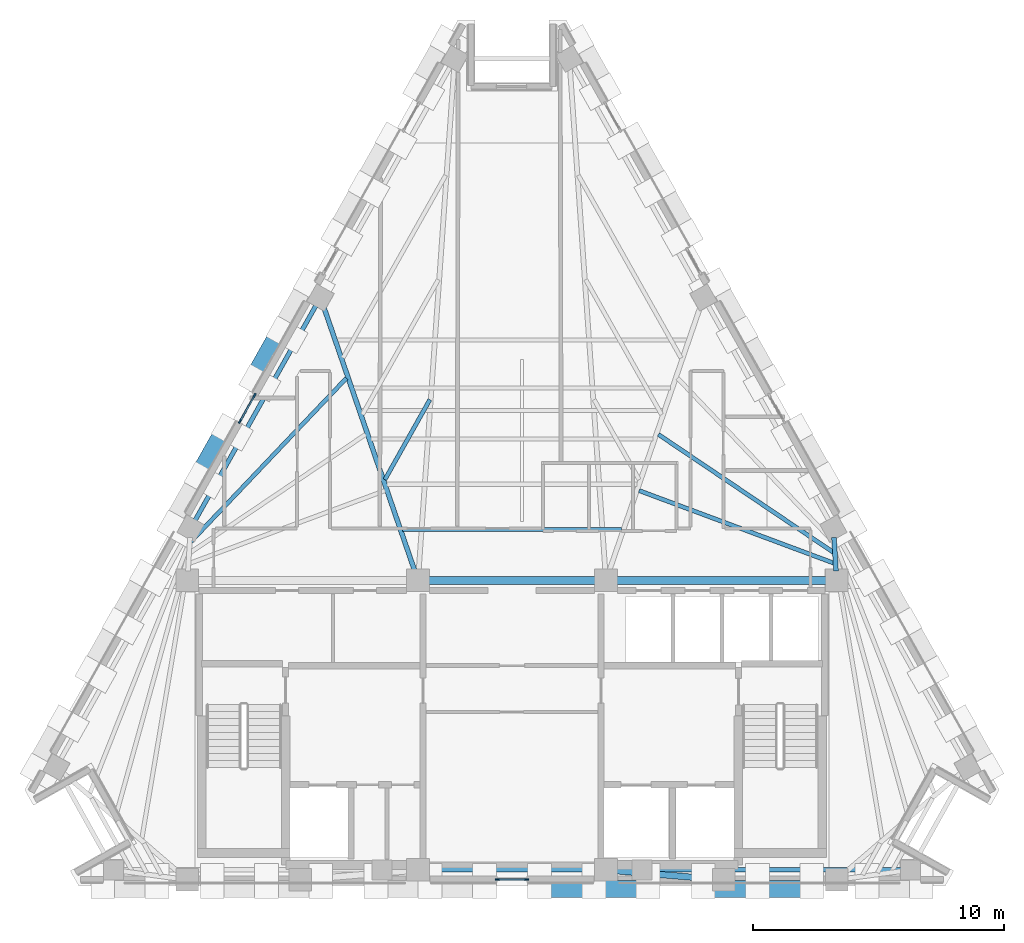
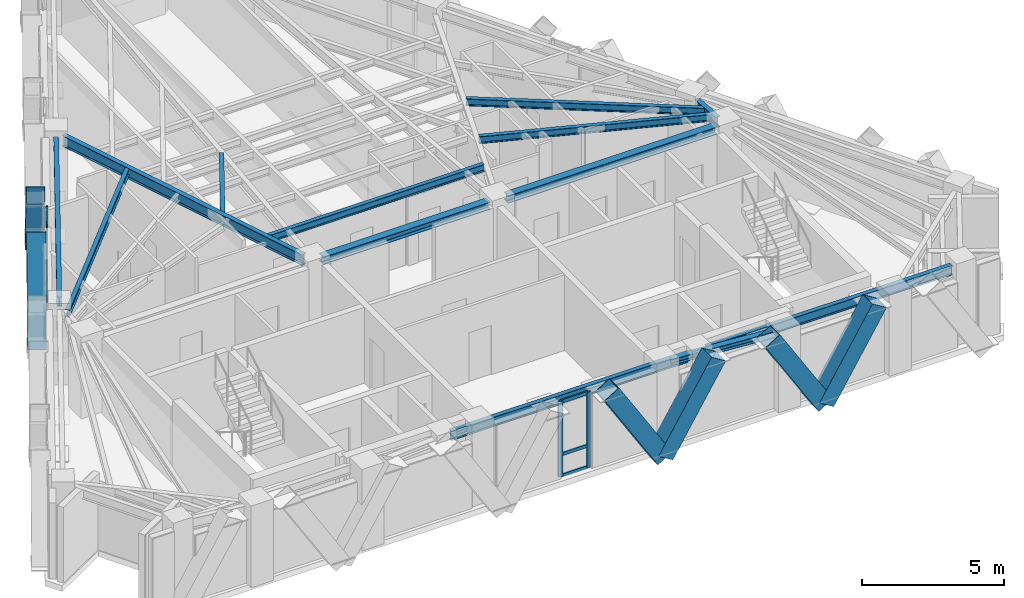
# One storey, part 2 of 9: 16 members, 13 beams, 2 elements without a shape of their own.
"""IFC4 building model written with IfcOpenShell, lengths in metres."""

from ifc_helpers import new_model, si_unit, direction, frame, origin, origin_2d, place, context, subcontext, project, spatial, rectangle, hollow_rectangle, i_section, extrude, material, material_profile, profile_set, type_object, element, aggregate, save


model = new_model("IFC4")

# Units and contexts
model_context = context("Model", 3, precision=1e-05, world=origin(), true_north=direction((0.0, 1.0)))
body_context = subcontext(model_context, "Body", "Model", "MODEL_VIEW")
ifc_project = project(units=[si_unit("LENGTHUNIT", "METRE"), si_unit("AREAUNIT", "SQUARE_METRE"), si_unit("VOLUMEUNIT", "CUBIC_METRE"), si_unit("PLANEANGLEUNIT", "RADIAN"), si_unit("MASSUNIT", "GRAM", prefix="KILO")], contexts=[model_context])

# Site, building, storey
site_placement = place(None, origin())
site = spatial("IfcSite", under=ifc_project, at=site_placement, CompositionType="ELEMENT")
building_placement = place(site_placement, origin())
building = spatial("IfcBuilding", under=site, at=building_placement, Name="Quenlor Broadcast Tower", CompositionType="ELEMENT")
storey_placement = place(building_placement, frame((0.0, 0.0, 260.39990234375)))
storey = spatial("IfcBuildingStorey", under=building, at=storey_placement, Name="L72", CompositionType="ELEMENT", Elevation=260.39990234375)

# Curtain wall, members
ifc_material_1 = material(Name="Architectural Terracotta and Low-E Glazing", Category="masonry")
curtain_wall_type = type_object("IfcCurtainWallType", Name="Unitised Terracotta Curtain Wall System Z5", PredefinedType="NOTDEFINED", material=ifc_material_1)
curtain_wall_1_placement = place(storey_placement, origin())
curtain_wall_1 = element("IfcCurtainWall", 1, at=curtain_wall_1_placement, inside=storey, type_object=curtain_wall_type, Name="L72 Curtain Wall CW5 (L72-S-G1)", PredefinedType="NOTDEFINED")
ifc_material_2 = material(Name="Aluminium 6063-T6", Category="aluminium")
ifc_material_profile_1 = material_profile(ifc_material_2, rectangle(XDim=0.06494140625, YDim=0.169921875, at=origin_2d()))
ifc_profile_set_1 = profile_set([ifc_material_profile_1], Name="Aluminium 6063-T6 MULL65x170")
member_type_1 = type_object("IfcMemberType", Name="CW5 Aluminium Mullion MULL_CW5", PredefinedType="MULLION", material=ifc_profile_set_1)
member_1_placement = place(storey_placement, frame((0.573974609375, -16.72509765625, 0.0), z_axis=(0.0, 0.0, 1.0), x_axis=(0.0, -1.0, 0.0)))
member_1 = element("IfcMember", 2, at=member_1_placement, type_object=member_type_1, Name="CW5 mullion 1", PredefinedType="MULLION", context=body_context, shape_type="SweptSolid", body=[
    extrude(rectangle(XDim=0.06494140625, YDim=0.169921875, at=origin_2d()), origin(), (0.0, 0.0, 1.0), 3.25),
])
member_2_placement = place(storey_placement, frame((-0.573974609375, -16.72509765625, 0.0), z_axis=(0.0, 0.0, 1.0), x_axis=(0.0, -1.0, 0.0)))
member_2 = element("IfcMember", 3, at=member_2_placement, type_object=member_type_1, Name="CW5 mullion 2", PredefinedType="MULLION", context=body_context, shape_type="SweptSolid", body=[
    extrude(rectangle(XDim=0.06494140625, YDim=0.169921875, at=origin_2d()), origin(), (0.0, 0.0, 1.0), 3.25),
])

curtain_wall_2_placement = place(storey_placement, origin())
curtain_wall_2 = element("IfcCurtainWall", 4, at=curtain_wall_2_placement, inside=storey, type_object=curtain_wall_type, Name="L72 Curtain Wall CW5 (L72-NW-G1)", PredefinedType="NOTDEFINED")
member_3_placement = place(storey_placement, frame((-10.853271484375, 1.54443359375, 0.0), z_axis=(0.0, 0.0, 1.0), x_axis=(-0.871592489955, 0.490231100048, 0.0)))
member_3 = element("IfcMember", 5, at=member_3_placement, type_object=member_type_1, Name="CW5 mullion 1", PredefinedType="MULLION", context=body_context, shape_type="SweptSolid", body=[
    extrude(rectangle(XDim=0.06494140625, YDim=0.169921875, at=origin_2d()), origin(), (0.0, 0.0, 1.0), 3.25),
])
member_4_placement = place(storey_placement, frame((-10.267333984375, 2.586181640625, 0.0), z_axis=(0.0, 0.0, 1.0), x_axis=(-0.871592489955, 0.490231100048, 0.0)))
member_4 = element("IfcMember", 6, at=member_4_placement, type_object=member_type_1, Name="CW5 mullion 2", PredefinedType="MULLION", context=body_context, shape_type="SweptSolid", body=[
    extrude(rectangle(XDim=0.06494140625, YDim=0.169921875, at=origin_2d()), origin(), (0.0, 0.0, 1.0), 3.25),
])

# Member
ifc_material_3 = material(Name="Aluminium 6063-T6", Category="aluminium")
ifc_material_profile_2 = material_profile(ifc_material_3, rectangle(XDim=0.06494140625, YDim=0.139892578125, at=origin_2d()))
ifc_profile_set_2 = profile_set([ifc_material_profile_2], Name="Aluminium 6063-T6 TRAN65x140")
member_type_2 = type_object("IfcMemberType", Name="CW5 Aluminium Transom TRAN_CW5", PredefinedType="USERDEFINED", material=ifc_profile_set_2)
member_5_placement = place(storey_placement, frame((0.54150390625, -16.72509765625, 0.03271484375), z_axis=(-1.0, 0.0, 0.0), x_axis=(0.0, -1.0, 0.0)))
member_5 = element("IfcMember", 7, at=member_5_placement, type_object=member_type_2, Name="CW5 transom 1.1", ObjectType="TRANSOM", PredefinedType="USERDEFINED", context=body_context, shape_type="SweptSolid", body=[
    extrude(rectangle(XDim=0.06494140625, YDim=0.139892578125, at=origin_2d()), origin(), (0.0, 0.0, 1.0), 1.0830078125),
])

member_6_placement = place(storey_placement, frame((0.54150390625, -16.72509765625, 0.9501953125), z_axis=(-1.0, 0.0, 0.0), x_axis=(0.0, -1.0, 0.0)))
member_6 = element("IfcMember", 8, at=member_6_placement, type_object=member_type_2, Name="CW5 transom 1.2", ObjectType="TRANSOM", PredefinedType="USERDEFINED", context=body_context, shape_type="SweptSolid", body=[
    extrude(rectangle(XDim=0.06494140625, YDim=0.139892578125, at=origin_2d()), origin(), (0.0, 0.0, 1.0), 1.0830078125),
])

member_7_placement = place(storey_placement, frame((0.54150390625, -16.72509765625, 3.217529296875), z_axis=(-1.0, 0.0, 0.0), x_axis=(0.0, -1.0, 0.0)))
member_7 = element("IfcMember", 9, at=member_7_placement, type_object=member_type_2, Name="CW5 transom 1.3", ObjectType="TRANSOM", PredefinedType="USERDEFINED", context=body_context, shape_type="SweptSolid", body=[
    extrude(rectangle(XDim=0.06494140625, YDim=0.139892578125, at=origin_2d()), origin(), (0.0, 0.0, 1.0), 1.0830078125),
])

aggregate(curtain_wall_1, [member_1, member_2, member_5, member_6, member_7])

member_8_placement = place(storey_placement, frame((-10.83740234375, 1.57275390625, 0.03271484375), z_axis=(0.490312513966, 0.871546693327, 0.0), x_axis=(-0.871546693327, 0.490312513966, 0.0)))
member_8 = element("IfcMember", 10, at=member_8_placement, type_object=member_type_2, Name="CW5 transom 1.1", ObjectType="TRANSOM", PredefinedType="USERDEFINED", context=body_context, shape_type="SweptSolid", body=[
    extrude(rectangle(XDim=0.06494140625, YDim=0.139892578125, at=origin_2d()), origin(), (0.0, 0.0, 1.0), 1.13037109375),
])

member_9_placement = place(storey_placement, frame((-10.83740234375, 1.57275390625, 0.9501953125), z_axis=(0.490312513966, 0.871546693327, 0.0), x_axis=(-0.871546693327, 0.490312513966, 0.0)))
member_9 = element("IfcMember", 11, at=member_9_placement, type_object=member_type_2, Name="CW5 transom 1.2", ObjectType="TRANSOM", PredefinedType="USERDEFINED", context=body_context, shape_type="SweptSolid", body=[
    extrude(rectangle(XDim=0.06494140625, YDim=0.139892578125, at=origin_2d()), origin(), (0.0, 0.0, 1.0), 1.13037109375),
])

member_10_placement = place(storey_placement, frame((-10.83740234375, 1.57275390625, 3.217529296875), z_axis=(0.490312513966, 0.871546693327, 0.0), x_axis=(-0.871546693327, 0.490312513966, 0.0)))
member_10 = element("IfcMember", 12, at=member_10_placement, type_object=member_type_2, Name="CW5 transom 1.3", ObjectType="TRANSOM", PredefinedType="USERDEFINED", context=body_context, shape_type="SweptSolid", body=[
    extrude(rectangle(XDim=0.06494140625, YDim=0.139892578125, at=origin_2d()), origin(), (0.0, 0.0, 1.0), 1.13037109375),
])

aggregate(curtain_wall_2, [member_3, member_4, member_8, member_9, member_10])

# Beams
ifc_material_4 = material(Name="Steel S355", Category="steel")
ifc_material_profile_3 = material_profile(ifc_material_4, i_section(OverallWidth=0.304931640625, OverallDepth=0.30810546875, WebThickness=0.010009765625, FlangeThickness=0.015380859375, FilletRadius=0.0166015625, at=origin_2d()))
ifc_profile_set_3 = profile_set([ifc_material_profile_3], Name="Steel S355 310UC96.8")
beam_type_1 = type_object("IfcBeamType", Name="Core Header Beam Steel S355 310UC96.8", PredefinedType="BEAM", material=ifc_profile_set_3)
beam_1_placement = place(storey_placement, frame((-3.389892578125, -4.800048828125, 3.09619140625), z_axis=(1.0, 0.0, 0.0), x_axis=(0.0, 1.0, 0.0)))
element("IfcBeam", 13, at=beam_1_placement, inside=storey, type_object=beam_type_1, Name="L72 Core Header Beam 2", PredefinedType="BEAM", context=body_context, shape_type="SweptSolid", body=[
    extrude(i_section(OverallWidth=0.304931640625, OverallDepth=0.30810546875, WebThickness=0.010009765625, FlangeThickness=0.015380859375, FilletRadius=0.0166015625, at=origin_2d()), origin(), (0.0, 0.0, 1.0), 6.77978515625),
])
ifc_material_5 = material(Name="Steel S355", Category="steel")
ifc_material_profile_4 = material_profile(ifc_material_5, i_section(OverallWidth=0.25390625, OverallDepth=0.25390625, WebThickness=0.008544921875, FlangeThickness=0.01416015625, FilletRadius=0.013916015625, at=origin_2d()))
ifc_profile_set_4 = profile_set([ifc_material_profile_4], Name="Steel S355 250UC72.9")
beam_type_2 = type_object("IfcBeamType", Name="Core Opening Lintel Beam Steel S355 250UC72.9", PredefinedType="LINTEL", material=ifc_profile_set_4)
beam_2_placement = place(storey_placement, frame((4.108642578125, -16.380615234375, 3.123291015625), z_axis=(0.996399763903, -0.084779186679, 0.0), x_axis=(0.084779186679, 0.996399763903, 0.0)))
element("IfcBeam", 14, at=beam_2_placement, inside=storey, type_object=beam_type_2, Name="L72 Core Opening Lintel Beam 5", PredefinedType="LINTEL", context=body_context, shape_type="SweptSolid", body=[
    extrude(i_section(OverallWidth=0.25390625, OverallDepth=0.25390625, WebThickness=0.008544921875, FlangeThickness=0.01416015625, FilletRadius=0.013916015625, at=origin_2d()), origin(), (0.0, 0.0, 1.0), 3.9970703125),
])
ifc_material_6 = material(Name="Steel S355", Category="steel")
ifc_material_profile_5 = material_profile(ifc_material_6, i_section(OverallWidth=0.306884765625, OverallDepth=0.314697265625, WebThickness=0.011962890625, FlangeThickness=0.018798828125, FilletRadius=0.0166015625, at=origin_2d()))
ifc_profile_set_5 = profile_set([ifc_material_profile_5], Name="Steel S355 310UC118")
beam_type_3 = type_object("IfcBeamType", Name="Core Tie Beam Steel S355 310UC118", PredefinedType="BEAM", material=ifc_profile_set_5)
beam_3_placement = place(storey_placement, frame((4.110107421875, -4.800048828125, 3.0927734375), z_axis=(1.0, 0.0, 0.0), x_axis=(0.0, 1.0, 0.0)))
element("IfcBeam", 15, at=beam_3_placement, inside=storey, type_object=beam_type_3, Name="L72 Core Tie Beam 3", PredefinedType="BEAM", context=body_context, shape_type="SweptSolid", body=[
    extrude(i_section(OverallWidth=0.306884765625, OverallDepth=0.314697265625, WebThickness=0.011962890625, FlangeThickness=0.018798828125, FilletRadius=0.0166015625, at=origin_2d()), origin(), (0.0, 0.0, 1.0), 8.47998046875),
])

# Members
ifc_material_7 = material(Name="Steel S355", Category="steel")
ifc_material_profile_6 = material_profile(ifc_material_7, hollow_rectangle(XDim=0.679931640625, YDim=0.679931640625, WallThickness=0.02001953125, at=origin_2d()))
ifc_profile_set_6 = profile_set([ifc_material_profile_6], Name="Steel S355 RHS680x680x20")
member_type_3 = type_object("IfcMemberType", Name="Perimeter Diagonal Lattice Brace Z5-Crown Steel S355 RHS680x20", PredefinedType="BRACE", material=ifc_profile_set_6)
member_11_placement = place(storey_placement, frame((9.81103515625, -17.1201171875, -0.119873046875), z_axis=(0.5236596973, 0.0, 0.851927532965), x_axis=(0.0, 1.0, 0.0)))
element("IfcMember", 16, at=member_11_placement, inside=storey, type_object=member_type_3, Name="L72 Perimeter Diamond Lattice S-C1B", PredefinedType="BRACE", context=body_context, shape_type="SweptSolid", body=[
    extrude(hollow_rectangle(XDim=0.679931640625, YDim=0.679931640625, WallThickness=0.02001953125, at=origin_2d()), origin(), (0.0, 0.0, 1.0), 4.1083984375),
])
member_12_placement = place(storey_placement, frame((9.784912109375, -17.1201171875, -0.119873046875), z_axis=(-0.523616565236, 0.0, 0.85195404372), x_axis=(0.0, -1.0, 0.0)))
element("IfcMember", 17, at=member_12_placement, inside=storey, type_object=member_type_3, Name="L72 Perimeter Diamond Lattice S-C2S", PredefinedType="BRACE", context=body_context, shape_type="SweptSolid", body=[
    extrude(hollow_rectangle(XDim=0.679931640625, YDim=0.679931640625, WallThickness=0.02001953125, at=origin_2d()), origin(), (0.0, 0.0, 1.0), 4.108154296875),
])
member_13_placement = place(storey_placement, frame((3.279052734375, -17.1201171875, -0.119873046875), z_axis=(0.5236596973, 0.0, 0.851927532965), x_axis=(0.0, 1.0, 0.0)))
element("IfcMember", 18, at=member_13_placement, inside=storey, type_object=member_type_3, Name="L72 Perimeter Diamond Lattice S-C2B", PredefinedType="BRACE", context=body_context, shape_type="SweptSolid", body=[
    extrude(hollow_rectangle(XDim=0.679931640625, YDim=0.679931640625, WallThickness=0.02001953125, at=origin_2d()), origin(), (0.0, 0.0, 1.0), 4.1083984375),
])
member_14_placement = place(storey_placement, frame((3.2529296875, -17.1201171875, -0.119873046875), z_axis=(-0.523616565236, 0.0, 0.85195404372), x_axis=(0.0, -1.0, 0.0)))
element("IfcMember", 19, at=member_14_placement, inside=storey, type_object=member_type_3, Name="L72 Perimeter Diamond Lattice S-C3S", PredefinedType="BRACE", context=body_context, shape_type="SweptSolid", body=[
    extrude(hollow_rectangle(XDim=0.679931640625, YDim=0.679931640625, WallThickness=0.02001953125, at=origin_2d()), origin(), (0.0, 0.0, 1.0), 4.108154296875),
])
for number, where, z_axis, x_axis, name in (
    (20, (-12.532958984375, -0.635986328125, -0.119873046875), (0.260618804175, 0.463276364439, 0.847025884529), (-0.8715547569, 0.490298180422, 0.0), "L72 Perimeter Diamond Lattice NW-C3S"),
    (21, (-9.2763671875, 5.153564453125, -0.119873046875), (-0.260563732169, -0.463283497491, 0.847038926161), (0.871602253711, -0.49021374045, 0.0), "L72 Perimeter Diamond Lattice NW-C3B"),
):
    element("IfcMember", number, at=place(storey_placement, frame(where, z_axis=z_axis, x_axis=x_axis)), inside=storey, type_object=member_type_3, Name=name, PredefinedType="BRACE", context=body_context, shape_type="SweptSolid", body=[
        extrude(hollow_rectangle(XDim=0.679931640625, YDim=0.679931640625, WallThickness=0.02001953125, at=origin_2d()), origin(), (0.0, 0.0, 1.0), 4.132080078125),
    ])

# Beams
ifc_material_8 = material(Name="Steel S355", Category="steel")
ifc_material_profile_7 = material_profile(ifc_material_8, i_section(OverallWidth=0.177978515625, OverallDepth=0.406494140625, WebThickness=0.0078125, FlangeThickness=0.0126953125, FilletRadius=0.011474609375, at=origin_2d()))
ifc_profile_set_7 = profile_set([ifc_material_profile_7], Name="Steel S355 410UB59.7")
beam_type_4 = type_object("IfcBeamType", Name="Perimeter Spandrel Beam Z5 Steel S355 410UB59.7", PredefinedType="SPANDREL", material=ifc_profile_set_7)
beam_4_placement = place(storey_placement, frame((-4.823974609375, -16.35009765625, 3.046875), z_axis=(1.0, 0.0, 0.0), x_axis=(0.0, 1.0, 0.0)))
element("IfcBeam", 22, at=beam_4_placement, inside=storey, type_object=beam_type_4, Name="L72 Spandrel Beam S2-S3", PredefinedType="SPANDREL", context=body_context, shape_type="SweptSolid", body=[
    extrude(i_section(OverallWidth=0.177978515625, OverallDepth=0.406494140625, WebThickness=0.0078125, FlangeThickness=0.0126953125, FilletRadius=0.011474609375, at=origin_2d()), origin(), (0.0, 0.0, 1.0), 9.64794921875),
])
beam_5_placement = place(storey_placement, frame((5.5439453125, -16.35009765625, 3.046875), z_axis=(1.0, 0.0, 0.0), x_axis=(0.0, 1.0, 0.0)))
element("IfcBeam", 23, at=beam_5_placement, inside=storey, type_object=beam_type_4, Name="L72 Spandrel Beam S3-S4", PredefinedType="SPANDREL", context=body_context, shape_type="SweptSolid", body=[
    extrude(i_section(OverallWidth=0.177978515625, OverallDepth=0.406494140625, WebThickness=0.0078125, FlangeThickness=0.0126953125, FilletRadius=0.011474609375, at=origin_2d()), origin(), (0.0, 0.0, 1.0), 9.99365234375),
])
beam_6_placement = place(storey_placement, frame((-7.818115234375, 6.175537109375, 3.046875), z_axis=(-0.49024947634, -0.871582153872, 0.0), x_axis=(0.871582153872, -0.49024947634, 0.0)))
element("IfcBeam", 24, at=beam_6_placement, inside=storey, type_object=beam_type_4, Name="L72 Spandrel Beam NW2-NW3", PredefinedType="SPANDREL", context=body_context, shape_type="SweptSolid", body=[
    extrude(i_section(OverallWidth=0.177978515625, OverallDepth=0.406494140625, WebThickness=0.0078125, FlangeThickness=0.0126953125, FilletRadius=0.011474609375, at=origin_2d()), origin(), (0.0, 0.0, 1.0), 9.853759765625),
])
ifc_material_9 = material(Name="Steel S355", Category="steel")
ifc_material_profile_8 = material_profile(ifc_material_9, i_section(OverallWidth=0.166015625, OverallDepth=0.30712890625, WebThickness=0.006591796875, FlangeThickness=0.01171875, FilletRadius=0.011474609375, at=origin_2d()))
ifc_profile_set_8 = profile_set([ifc_material_profile_8], Name="Steel S355 310UB46.2")
beam_type_5 = type_object("IfcBeamType", Name="Tower Composite Joist Z4-Z5 Steel S355 310UB46.2", PredefinedType="JOIST", material=ifc_profile_set_8)
beam_7_placement = place(storey_placement, frame((-4.37060546875, -2.767822265625, 3.096435546875), z_axis=(1.0, 0.0, 0.0), x_axis=(0.0, 1.0, 0.0)))
element("IfcBeam", 25, at=beam_7_placement, inside=storey, type_object=beam_type_5, Name="L72 Secondary Composite Joist 1", PredefinedType="JOIST", context=body_context, shape_type="SweptSolid", body=[
    extrude(i_section(OverallWidth=0.166015625, OverallDepth=0.30712890625, WebThickness=0.006591796875, FlangeThickness=0.01171875, FilletRadius=0.011474609375, at=origin_2d()), origin(), (0.0, 0.0, 1.0), 8.7412109375),
])
beam_8_placement = place(storey_placement, frame((-12.80517578125, -3.249267578125, 3.096435546875), z_axis=(0.689023306429, 0.724739182877, 0.0), x_axis=(-0.724739182877, 0.689023306429, 0.0)))
element("IfcBeam", 26, at=beam_8_placement, inside=storey, type_object=beam_type_5, Name="L72 Secondary Composite Joist 9", PredefinedType="JOIST", context=body_context, shape_type="SweptSolid", body=[
    extrude(i_section(OverallWidth=0.166015625, OverallDepth=0.30712890625, WebThickness=0.006591796875, FlangeThickness=0.01171875, FilletRadius=0.011474609375, at=origin_2d()), origin(), (0.0, 0.0, 1.0), 8.99560546875),
])
beam_9_placement = place(storey_placement, frame((12.835205078125, -4.108642578125, 3.096435546875), z_axis=(-0.937062080226, 0.349162795559, 0.0), x_axis=(-0.349162795559, -0.937062080226, 0.0)))
element("IfcBeam", 27, at=beam_9_placement, inside=storey, type_object=beam_type_5, Name="L72 Secondary Composite Joist 10", PredefinedType="JOIST", context=body_context, shape_type="SweptSolid", body=[
    extrude(i_section(OverallWidth=0.166015625, OverallDepth=0.30712890625, WebThickness=0.006591796875, FlangeThickness=0.01171875, FilletRadius=0.011474609375, at=origin_2d()), origin(), (0.0, 0.0, 1.0), 8.286376953125),
])
beam_10_placement = place(storey_placement, frame((12.81884765625, -3.67724609375, 3.096435546875), z_axis=(-0.829286301475, 0.558823970661, 0.0), x_axis=(-0.558823970661, -0.829286301475, 0.0)))
element("IfcBeam", 28, at=beam_10_placement, inside=storey, type_object=beam_type_5, Name="L72 Secondary Composite Joist 11", PredefinedType="JOIST", context=body_context, shape_type="SweptSolid", body=[
    extrude(i_section(OverallWidth=0.166015625, OverallDepth=0.30712890625, WebThickness=0.006591796875, FlangeThickness=0.01171875, FilletRadius=0.011474609375, at=origin_2d()), origin(), (0.0, 0.0, 1.0), 8.415771484375),
])
beam_11_placement = place(storey_placement, frame((-3.2763671875, 2.41455078125, 3.096435546875), z_axis=(-0.490258076222, -0.871577316535, 0.0), x_axis=(0.871577316535, -0.490258076222, 0.0)))
element("IfcBeam", 29, at=beam_11_placement, inside=storey, type_object=beam_type_5, Name="L72 Secondary Composite Joist 25", PredefinedType="JOIST", context=body_context, shape_type="SweptSolid", body=[
    extrude(i_section(OverallWidth=0.166015625, OverallDepth=0.30712890625, WebThickness=0.006591796875, FlangeThickness=0.01171875, FilletRadius=0.011474609375, at=origin_2d()), origin(), (0.0, 0.0, 1.0), 3.6640625),
])
ifc_material_10 = material(Name="Steel S355", Category="steel")
ifc_material_profile_9 = material_profile(ifc_material_10, i_section(OverallWidth=0.19091796875, OverallDepth=0.46044921875, WebThickness=0.010009765625, FlangeThickness=0.01611328125, FilletRadius=0.011474609375, at=origin_2d()))
ifc_profile_set_9 = profile_set([ifc_material_profile_9], Name="Steel S355 460UB82.1")
beam_type_6 = type_object("IfcBeamType", Name="Tower Primary Floor Beam Z5 Steel S355 460UB82.1", PredefinedType="BEAM", material=ifc_profile_set_9)
beam_12_placement = place(storey_placement, frame((12.84716796875, -3.086181640625, 3.02001953125), z_axis=(0.059899569349, -0.998204408722, 0.0), x_axis=(0.998204408722, 0.059899569349, 0.0)))
element("IfcBeam", 30, at=beam_12_placement, inside=storey, type_object=beam_type_6, Name="L72 Primary Radial Beam NE2", PredefinedType="BEAM", context=body_context, shape_type="SweptSolid", body=[
    extrude(i_section(OverallWidth=0.19091796875, OverallDepth=0.46044921875, WebThickness=0.010009765625, FlangeThickness=0.01611328125, FilletRadius=0.011474609375, at=origin_2d()), origin(), (0.0, 0.0, 1.0), 1.3369140625),
])
beam_13_placement = place(storey_placement, frame((-7.524169921875, 6.14892578125, 3.02001953125), z_axis=(0.325895297662, -0.945405867848, 0.0), x_axis=(0.945405867848, 0.325895297662, 0.0)))
element("IfcBeam", 31, at=beam_13_placement, inside=storey, type_object=beam_type_6, Name="L72 Primary Radial Beam NW2", PredefinedType="BEAM", context=body_context, shape_type="SweptSolid", body=[
    extrude(i_section(OverallWidth=0.19091796875, OverallDepth=0.46044921875, WebThickness=0.010009765625, FlangeThickness=0.01611328125, FilletRadius=0.011474609375, at=origin_2d()), origin(), (0.0, 0.0, 1.0), 11.201171875),
])

save(model, "model.ifc")
